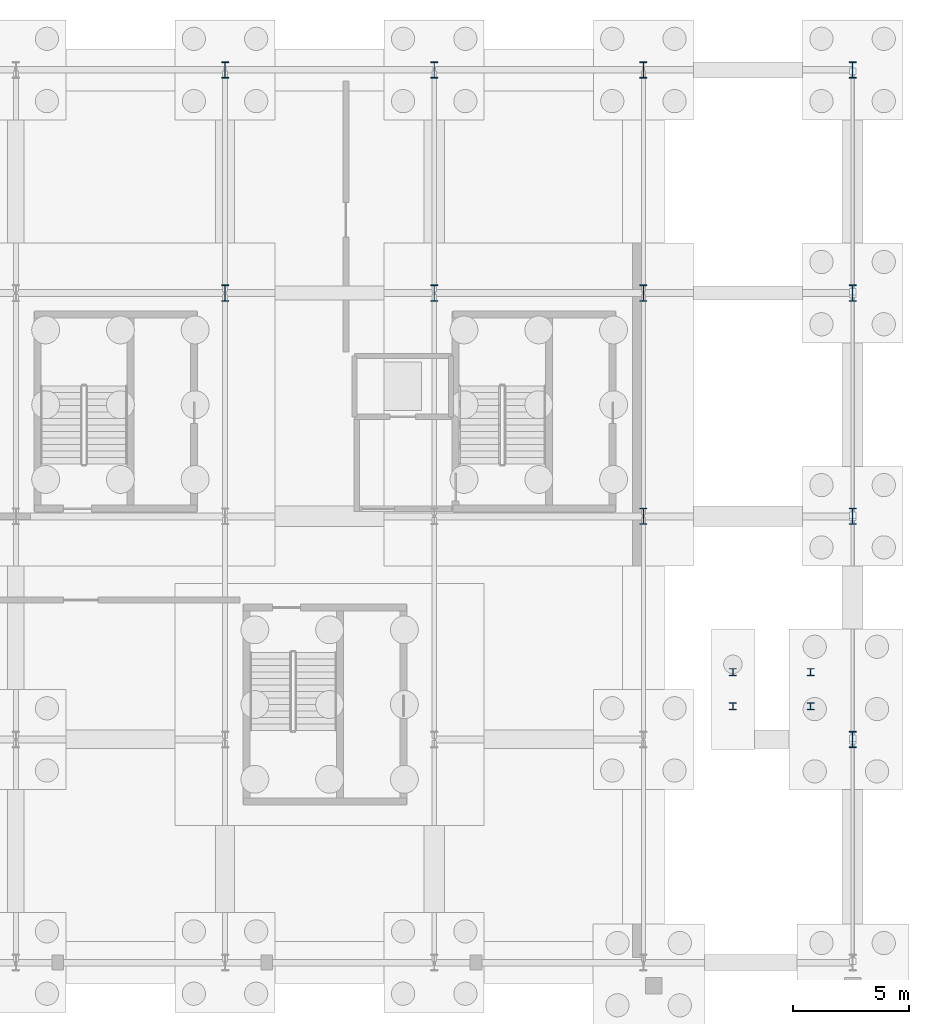
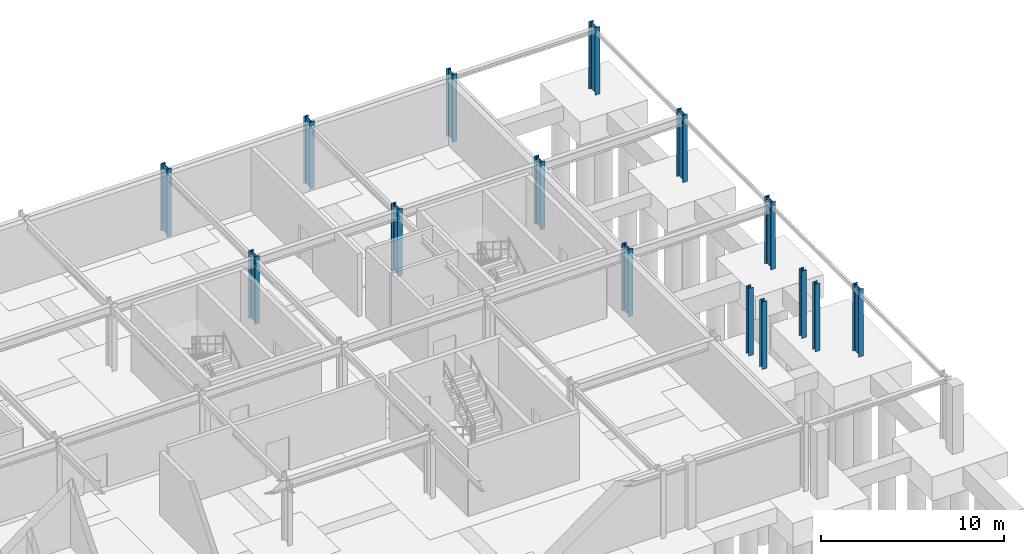
# One storey, part 29 of 59: 15 columns.
"""IFC4 building model written with IfcOpenShell, lengths in metres."""

from ifc_helpers import new_model, si_unit, direction, frame, origin, origin_2d, place, context, subcontext, project, spatial, i_section, extrude, material, material_profile, profile_set, type_object, element, save


model = new_model("IFC4")

# Units and contexts
model_context = context("Model", 3, precision=1e-05, world=origin(), true_north=direction((0.0, 1.0)))
body_context = subcontext(model_context, "Body", "Model", "MODEL_VIEW")
ifc_project = project(units=[si_unit("LENGTHUNIT", "METRE"), si_unit("AREAUNIT", "SQUARE_METRE"), si_unit("VOLUMEUNIT", "CUBIC_METRE"), si_unit("PLANEANGLEUNIT", "RADIAN"), si_unit("MASSUNIT", "GRAM", prefix="KILO")], contexts=[model_context])

# Site, building, storey
site_placement = place(None, origin())
site = spatial("IfcSite", under=ifc_project, at=site_placement, CompositionType="ELEMENT")
building_placement = place(site_placement, origin())
building = spatial("IfcBuilding", under=site, at=building_placement, Name="Myrtia Square Station", CompositionType="ELEMENT")
storey_placement = place(building_placement, frame((0.0, 0.0, -4.5)))
storey = spatial("IfcBuildingStorey", under=building, at=storey_placement, Name="B01", CompositionType="ELEMENT", Elevation=-4.5)

# Columns
ifc_material = material(Name="Steel S355", Category="steel")
ifc_material_profile_1 = material_profile(ifc_material, i_section(OverallWidth=0.300048828125, OverallDepth=0.300048828125, WebThickness=0.010986328125, FlangeThickness=0.01904296875, FilletRadius=0.027099609375, at=origin_2d()), Name="HEB 300")
ifc_profile_set_1 = profile_set([ifc_material_profile_1], Name="Steel S355")
column_type_1 = type_object("IfcColumnType", Name="COL-HEB300", PredefinedType="COLUMN", material=ifc_profile_set_1)
for number, where, z_axis, x_axis, name in (
    (1, (183.85009765625, 98.89990234375, 0.0), (0.0, 0.0, 1.0), (1.0, 0.0, 0.0), "Interchange stair substructure post 8-WN"),
    (2, (183.85009765625, 97.419921875, 0.0), (0.0, 0.0, 1.0), (1.0, 0.0, 0.0), "Interchange stair substructure post 8-WS"),
    (3, (187.18994140625, 98.89990234375, 0.0), (0.0, 0.0, 1.0), (1.0, 0.0, 0.0), "Interchange stair substructure post 8-EN"),
    (4, (187.18994140625, 97.419921875, 0.0), (0.0, 0.0, 1.0), (1.0, 0.0, 0.0), "Interchange stair substructure post 8-ES"),
):
    element("IfcColumn", number, at=place(storey_placement, frame(where, z_axis=z_axis, x_axis=x_axis)), inside=storey, type_object=column_type_1, Name=name, PredefinedType="COLUMN", context=body_context, shape_type="SweptSolid", body=[
        extrude(i_section(OverallWidth=0.300048828125, OverallDepth=0.300048828125, WebThickness=0.010986328125, FlangeThickness=0.01904296875, FilletRadius=0.027099609375, at=origin_2d()), origin(), (0.0, 0.0, 1.0), 4.5),
    ])
ifc_material_profile_2 = material_profile(ifc_material, i_section(OverallWidth=0.300048828125, OverallDepth=0.699951171875, WebThickness=0.01708984375, FlangeThickness=0.031982421875, FilletRadius=0.027099609375, at=origin_2d()), Name="HEB 700")
ifc_profile_set_2 = profile_set([ifc_material_profile_2], Name="Steel S355")
column_type_2 = type_object("IfcColumnType", Name="COL-HEB700", PredefinedType="COLUMN", material=ifc_profile_set_2)
for number, where, z_axis, x_axis, name in (
    (5, (162.0, 115.199951171875, 0.0), (0.0, 0.0, 1.0), (1.0, 0.0, 0.0), "Column B01-0916"),
    (6, (162.0, 124.800048828125, 0.0), (0.0, 0.0, 1.0), (1.0, 0.0, 0.0), "Column B01-0922"),
    (7, (171.0, 115.199951171875, 0.0), (0.0, 0.0, 1.0), (1.0, 0.0, 0.0), "Column B01-0946"),
    (8, (171.0, 124.800048828125, 0.0), (0.0, 0.0, 1.0), (1.0, 0.0, 0.0), "Column B01-0952"),
    (9, (180.0, 105.60009765625, 0.0), (0.0, 0.0, 1.0), (1.0, 0.0, 0.0), "Column B01-0970"),
    (10, (180.0, 115.199951171875, 0.0), (0.0, 0.0, 1.0), (1.0, 0.0, 0.0), "Column B01-0976"),
    (11, (180.0, 124.800048828125, 0.0), (0.0, 0.0, 1.0), (1.0, 0.0, 0.0), "Column B01-0982"),
    (12, (189.0, 96.0, 0.0), (0.0, 0.0, 1.0), (1.0, 0.0, 0.0), "Column B01-0994"),
    (13, (189.0, 105.60009765625, 0.0), (0.0, 0.0, 1.0), (1.0, 0.0, 0.0), "Column B01-1000"),
    (14, (189.0, 115.199951171875, 0.0), (0.0, 0.0, 1.0), (1.0, 0.0, 0.0), "Column B01-1006"),
    (15, (189.0, 124.800048828125, 0.0), (0.0, 0.0, 1.0), (1.0, 0.0, 0.0), "Column B01-1012"),
):
    element("IfcColumn", number, at=place(storey_placement, frame(where, z_axis=z_axis, x_axis=x_axis)), inside=storey, type_object=column_type_2, Name=name, PredefinedType="COLUMN", context=body_context, shape_type="SweptSolid", body=[
        extrude(i_section(OverallWidth=0.300048828125, OverallDepth=0.699951171875, WebThickness=0.01708984375, FlangeThickness=0.031982421875, FilletRadius=0.027099609375, at=origin_2d()), origin(), (0.0, 0.0, 1.0), 4.5),
    ])

save(model, "model.ifc")
